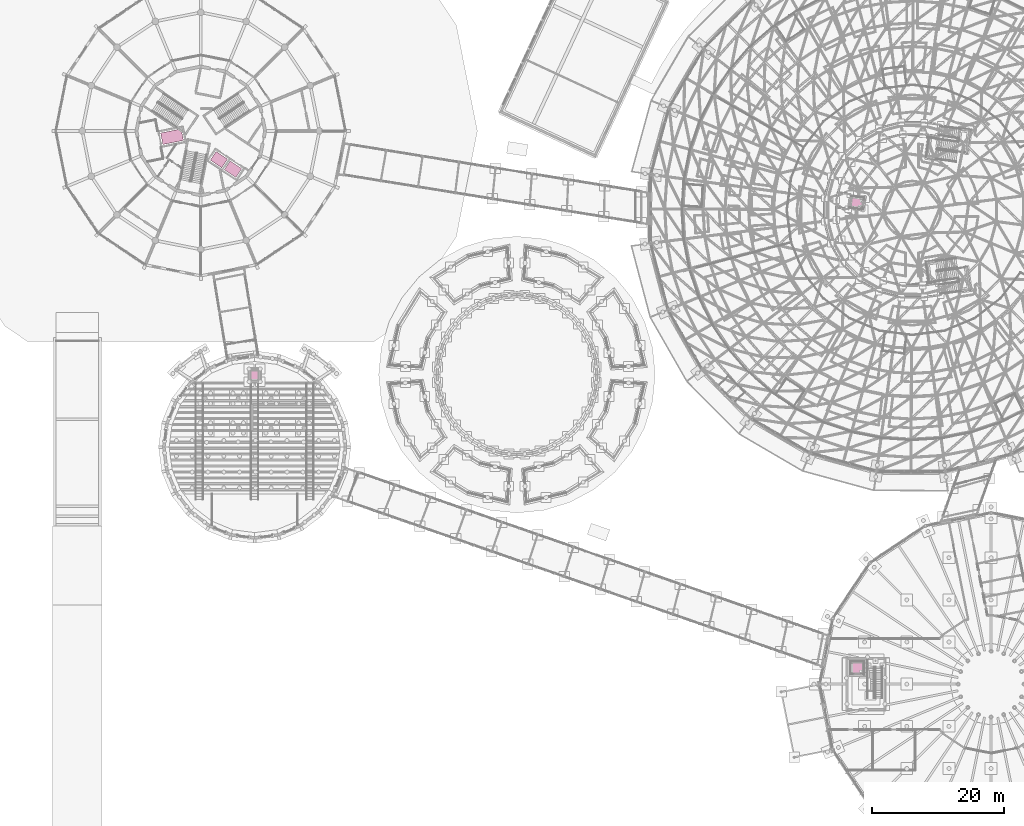
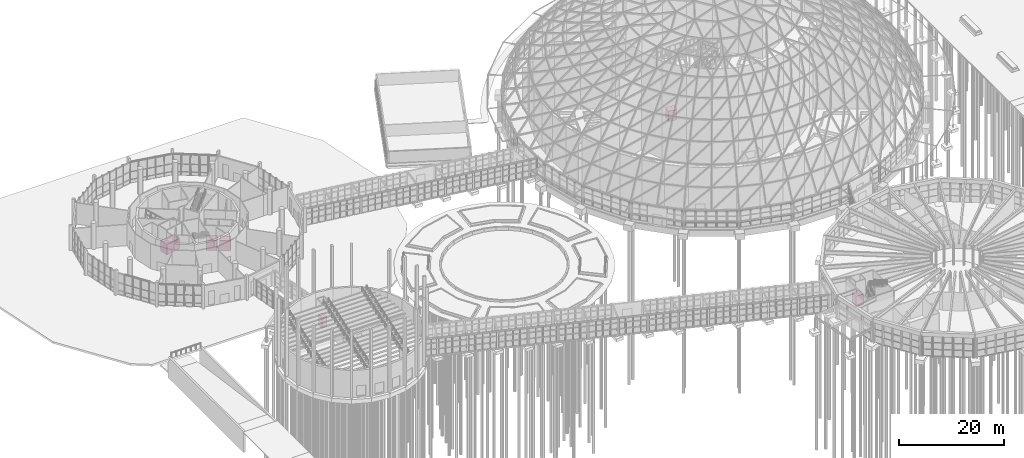
# One storey, part 226 of 226: 6 transport elements.
"""IFC4 building model written with IfcOpenShell, lengths in metres."""

from ifc_helpers import new_model, si_unit, direction, frame, origin, origin_2d, place, context, subcontext, project, spatial, rectangle, extrude, material, type_object, element, save


model = new_model("IFC4")

# Units and contexts
model_context = context("Model", 3, precision=1e-05, world=origin(), true_north=direction((0.0, 1.0)))
body_context = subcontext(model_context, "Body", "Model", "MODEL_VIEW")
ifc_project = project(units=[si_unit("LENGTHUNIT", "METRE"), si_unit("AREAUNIT", "SQUARE_METRE"), si_unit("VOLUMEUNIT", "CUBIC_METRE"), si_unit("PLANEANGLEUNIT", "RADIAN"), si_unit("MASSUNIT", "GRAM", prefix="KILO")], contexts=[model_context])

# Site, building, storey
site_placement = place(None, origin())
site = spatial("IfcSite", under=ifc_project, at=site_placement, CompositionType="ELEMENT")
building_placement = place(site_placement, origin())
building = spatial("IfcBuilding", under=site, at=building_placement, Name="Ceibo Conservatory and Research Tower", CompositionType="ELEMENT")
storey_placement = place(building_placement, origin())
storey = spatial("IfcBuildingStorey", under=building, at=storey_placement, Name="L00", CompositionType="ELEMENT", Elevation=0.0)

# Transport elements
ifc_material = material(Name="Stainless steel AISI 316", Category="steel")
transport_element_type_1 = type_object("IfcTransportElementType", Name="Auditorium passenger lift", PredefinedType="ELEVATOR", material=ifc_material)
transport_element_1_placement = place(storey_placement, frame((56.18017578125, 82.89990234375, 0.0), z_axis=(0.0, 0.0, 1.0), x_axis=(1.0, 0.0, 0.0)))
element("IfcTransportElement", 1, at=transport_element_1_placement, inside=storey, type_object=transport_element_type_1, Name="Auditorium passenger lift", PredefinedType="ELEVATOR", context=body_context, shape_type="SweptSolid", body=[
    extrude(rectangle(XDim=1.10009765625, YDim=1.39990234375, at=origin_2d()), origin(), (0.0, 0.0, 1.0), 2.39990234375),
])
transport_element_type_2 = type_object("IfcTransportElementType", Name="Glass passenger lift", PredefinedType="ELEVATOR", material=ifc_material)
transport_element_2_placement = place(storey_placement, frame((147.623046875, 109.108642578125, 0.0), z_axis=(0.0, 0.0, 1.0), x_axis=(-0.131193649994, -0.991356760304, 0.0)))
element("IfcTransportElement", 2, at=transport_element_2_placement, inside=storey, type_object=transport_element_type_2, Name="Glass passenger lift", PredefinedType="ELEVATOR", context=body_context, shape_type="SweptSolid", body=[
    extrude(rectangle(XDim=1.5, YDim=1.800048828125, at=origin_2d()), origin(), (0.0, 0.0, 1.0), 2.39990234375),
])
transport_element_type_3 = type_object("IfcTransportElementType", Name="Glass passenger lift 1000 kg", PredefinedType="ELEVATOR", material=ifc_material)
transport_element_3_placement = place(storey_placement, frame((147.699951171875, 38.47509765625, 0.0), z_axis=(0.0, 0.0, 1.0), x_axis=(1.0, 0.0, 0.0)))
element("IfcTransportElement", 3, at=transport_element_3_placement, inside=storey, type_object=transport_element_type_3, Name="Visitor centre passenger lift", PredefinedType="ELEVATOR", context=body_context, shape_type="SweptSolid", body=[
    extrude(rectangle(XDim=1.60009765625, YDim=1.5, at=origin_2d()), origin(), (0.0, 0.0, 1.0), 2.39990234375),
])
transport_element_type_4 = type_object("IfcTransportElementType", Name="Goods lift 2500 kg", PredefinedType="ELEVATOR", material=ifc_material)
transport_element_4_placement = place(storey_placement, frame((43.635498046875, 119.1318359375, 0.0), z_axis=(0.0, 0.0, 1.0), x_axis=(-0.980785280403, -0.195090322016, 0.0)))
element("IfcTransportElement", 4, at=transport_element_4_placement, inside=storey, type_object=transport_element_type_4, Name="Goods lift LG1", PredefinedType="ELEVATOR", context=body_context, shape_type="SweptSolid", body=[
    extrude(rectangle(XDim=3.199951171875, YDim=1.800048828125, at=origin_2d()), origin(), (0.0, 0.0, 1.0), 2.39990234375),
])
transport_element_type_5 = type_object("IfcTransportElementType", Name="Passenger lift 1600 kg", PredefinedType="ELEVATOR", material=ifc_material)
for number, where, z_axis, x_axis, name in (
    (5, (50.7412109375, 115.642578125, 0.0), (0.0, 0.0, 1.0), (0.55557023302, 0.831469612303, 0.0), "Passenger lift LP1"),
    (6, (52.903076171875, 114.1982421875, 0.0), (0.0, 0.0, 1.0), (0.55557023302, 0.831469612303, 0.0), "Passenger lift LP2"),
):
    element("IfcTransportElement", number, at=place(storey_placement, frame(where, z_axis=z_axis, x_axis=x_axis)), inside=storey, type_object=transport_element_type_5, Name=name, PredefinedType="ELEVATOR", context=body_context, shape_type="SweptSolid", body=[
        extrude(rectangle(XDim=1.60009765625, YDim=2.10009765625, at=origin_2d()), origin(), (0.0, 0.0, 1.0), 2.39990234375),
    ])

save(model, "model.ifc")
